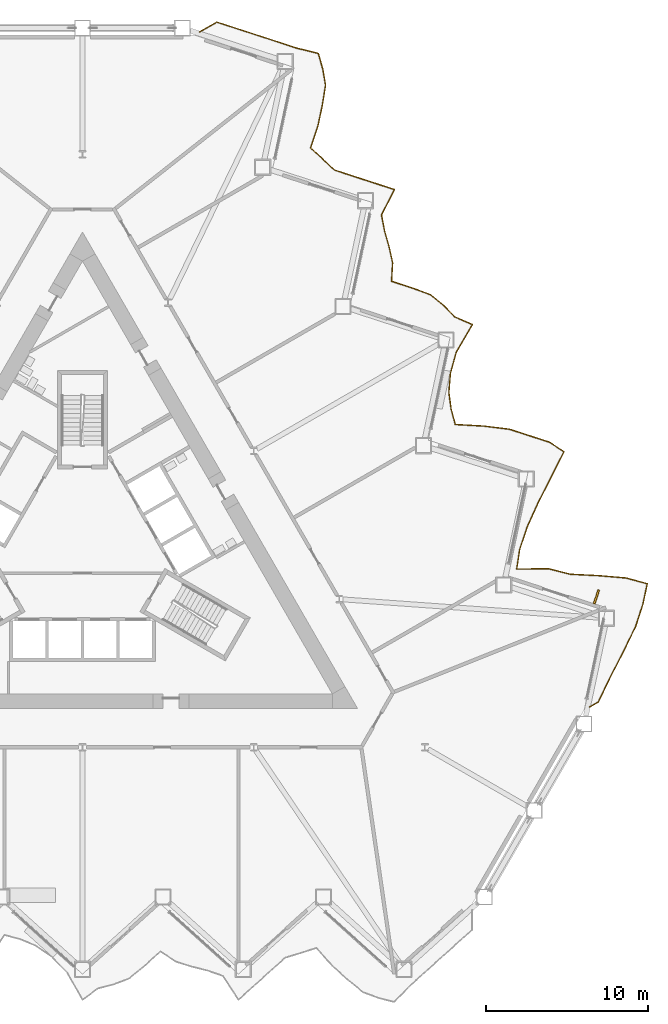
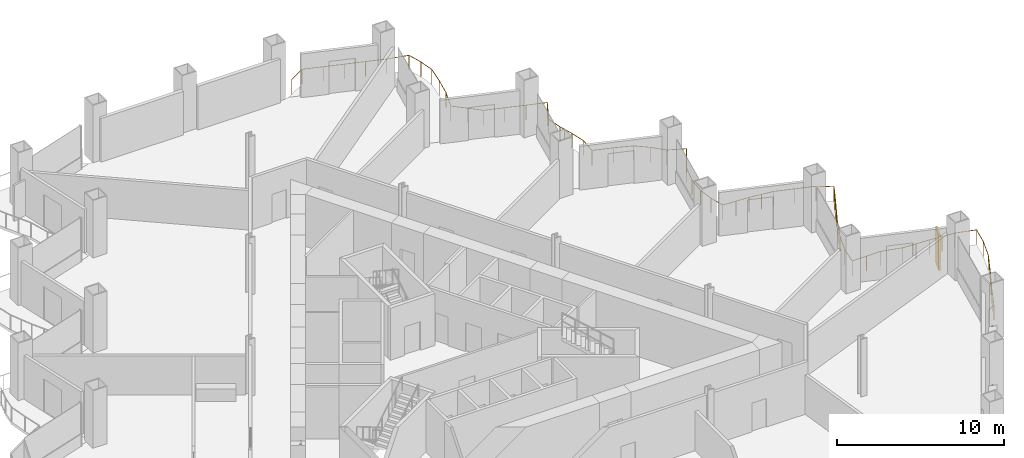
# One storey, part 18 of 20: 1 railing, 1 shading device.
"""IFC4 building model written with IfcOpenShell, lengths in metres."""

import ifcopenshell
import ifcopenshell.guid

model = None  # the IFC model being written
_history = None  # IfcOwnerHistory: only IFC2X3 demands one
_inside = {}  # id of a spatial element -> (the spatial element, [elements in it])
_under = {}  # id of a project, library or spatial element -> (it, [spatial elements below it])
_declared = {}  # id of a project -> (the project, [libraries it declares])
_typed = {}  # id of a type object -> (the type object, [elements of that type])
_made_of = {}  # id of a material, layer set ... -> (it, [elements and type objects made of it])


def new_model(schema):
    """Start an empty IFC model of exactly this schema.

    Asked for "IFC4X3", IfcOpenShell would pick the latest addendum, in which some entities
    have other attributes; the version numbers below select the first issue.
    IFC2X3 requires an IfcOwnerHistory on every rooted entity: one is made here for all.
    """
    global model, _history
    if schema == "IFC4X3":
        model = ifcopenshell.file(schema_version=(4, 3, 0, 0))
    else:
        model = ifcopenshell.file(schema=schema)
    _inside.clear()
    _under.clear()
    _declared.clear()
    _typed.clear()
    _made_of.clear()
    _history = None
    if model.schema == "IFC2X3":
        org = make("IfcOrganization", Name="unknown")
        user = make(
            "IfcPersonAndOrganization",
            ThePerson=make("IfcPerson", FamilyName="unknown"),
            TheOrganization=org,
        )
        app = make(
            "IfcApplication",
            ApplicationDeveloper=org,
            Version="unknown",
            ApplicationFullName="unknown",
            ApplicationIdentifier="unknown",
        )
        _history = make(
            "IfcOwnerHistory",
            OwningUser=user,
            OwningApplication=app,
            ChangeAction="ADDED",
            CreationDate=0,
        )
    return model


def make(cls, **values):
    """One entity of the class cls with the attributes given. An attribute that is None is left unset."""
    return model.create_entity(
        cls, **{name: value for name, value in values.items() if value is not None}
    )


def rooted(cls, **values):
    """An entity with a GlobalId (a new one), such as an element, a storey or a relation."""
    return make(cls, GlobalId=ifcopenshell.guid.new(), OwnerHistory=_history, **values)


def si_unit(unit_type, name, prefix=None):
    """IfcSIUnit, for example si_unit("LENGTHUNIT", "METRE", prefix="MILLI")."""
    return make("IfcSIUnit", UnitType=unit_type, Prefix=prefix, Name=name)


def assignment(units):
    """IfcUnitAssignment: the units of a project."""
    return None if units is None else make("IfcUnitAssignment", Units=units)


def point(xyz):
    """IfcCartesianPoint."""
    return None if xyz is None else make("IfcCartesianPoint", Coordinates=xyz)


def direction(xyz):
    """IfcDirection."""
    return None if xyz is None else make("IfcDirection", DirectionRatios=xyz)


def frame(location, z_axis=None, x_axis=None):
    """IfcAxis2Placement3D, a coordinate frame: its origin and axes. An axis left out is left unset."""
    return make(
        "IfcAxis2Placement3D",
        Location=point(location),
        Axis=direction(z_axis),
        RefDirection=direction(x_axis),
    )


def frame_2d(location, x_axis=None):
    """IfcAxis2Placement2D, a coordinate frame in the plane: its origin and x axis."""
    return make(
        "IfcAxis2Placement2D", Location=point(location), RefDirection=direction(x_axis)
    )


def origin():
    """The frame at (0, 0, 0) with its axes left unset."""
    return frame((0.0, 0.0, 0.0))


def origin_2d():
    """The frame at (0, 0) in the plane with its x axis left unset."""
    return frame_2d((0.0, 0.0))


def place(relative_to, where):
    """IfcLocalPlacement: puts the frame where relative to a parent placement (None: the world)."""
    return make(
        "IfcLocalPlacement", PlacementRelTo=relative_to, RelativePlacement=where
    )


def context(
    kind, dimensions, precision=None, world=None, true_north=None, identifier=None
):
    """IfcGeometricRepresentationContext, for example the 3D "Model" context."""
    return make(
        "IfcGeometricRepresentationContext",
        ContextIdentifier=identifier,
        ContextType=kind,
        CoordinateSpaceDimension=dimensions,
        Precision=precision,
        WorldCoordinateSystem=world,
        TrueNorth=true_north,
    )


def subcontext(parent, identifier, kind, view, scale=None):
    """IfcGeometricRepresentationSubContext, for example "Body" below "Model"."""
    return make(
        "IfcGeometricRepresentationSubContext",
        ContextIdentifier=identifier,
        ContextType=kind,
        ParentContext=parent,
        TargetScale=scale,
        TargetView=view,
    )


def project(units=None, contexts=None):
    """IfcProject with its units and contexts."""
    return rooted(
        "IfcProject",
        Name="project",
        RepresentationContexts=contexts,
        UnitsInContext=assignment(units),
    )


def spatial(cls, under=None, at=None, **own):
    """A site, building, storey or space (cls), placed at a placement, below another one or the project."""
    s = rooted(cls, ObjectPlacement=at, **own)
    if under is not None:
        _under.setdefault(under.id(), (under, []))[1].append(s)
    return s


def profile(cls, at=None, kind="AREA", **sizes):
    """A parametric profile (cls). Its sizes go by their IFC names, for example OverallWidth=200.0."""
    return make(cls, ProfileType=kind, Position=at, **sizes)


def rectangle(**sizes):
    """IfcRectangleProfileDef."""
    return profile("IfcRectangleProfileDef", **sizes)


def circle(**sizes):
    """IfcCircleProfileDef."""
    return profile("IfcCircleProfileDef", **sizes)


def extrude(swept, where, along, depth):
    """IfcExtrudedAreaSolid: the profile swept, set in the frame where, extruded along a direction by depth."""
    return make(
        "IfcExtrudedAreaSolid",
        SweptArea=swept,
        Position=where,
        ExtrudedDirection=direction(along),
        Depth=depth,
    )


def shape(context_of_items, identifier, shape_type, items):
    """IfcShapeRepresentation: the items that make up one representation, for example the "Body"."""
    return make(
        "IfcShapeRepresentation",
        ContextOfItems=context_of_items,
        RepresentationIdentifier=identifier,
        RepresentationType=shape_type,
        Items=items,
    )


def material(Name=None, Category=None):
    """IfcMaterial."""
    return make("IfcMaterial", Name=Name, Category=Category)


def layer(
    of_material, thickness, ventilated=None, Name=None, Category=None, Priority=None
):
    """IfcMaterialLayer: one layer of a wall or slab, of a material (None: an air gap)."""
    return make(
        "IfcMaterialLayer",
        Material=of_material,
        LayerThickness=thickness,
        IsVentilated=ventilated,
        Name=Name,
        Category=Category,
        Priority=Priority,
    )


def layer_set(layers, Name=None):
    """IfcMaterialLayerSet."""
    return make("IfcMaterialLayerSet", MaterialLayers=layers, LayerSetName=Name)


def made_of(thing, what):
    """Note that an element or type object is made of a material, layer set ...; save() writes the relation."""
    if what is not None:
        _made_of.setdefault(what.id(), (what, []))[1].append(thing)
    return thing


def type_object(cls, material=None, **own):
    """A type object (cls), such as IfcWallType, which elements share."""
    return made_of(rooted(cls, **own), material)


def element(
    cls,
    number,
    at=None,
    inside=None,
    cuts=None,
    type_object=None,
    material=None,
    context=None,
    identifier="Body",
    shape_type=None,
    held_by="IfcProductDefinitionShape",
    body=None,
    shapes=None,
    **own,
):
    """One element of the class cls, such as IfcWall. Its Tag is "e" and its number.

    at: its placement. inside: the storey or other place that contains it. cuts: it is an
    opening in that element (IfcRelVoidsElement). A single representation is given by context,
    identifier, shape_type and body (its items); several are given by shapes. held_by: the class
    of the entity that holds the representations. save() writes the other relations.
    """
    e = rooted(cls, Tag="e%d" % number, ObjectPlacement=at, **own)
    if body is not None:
        shapes = [shape(context, identifier, shape_type, body)]
    if shapes is not None:
        e.Representation = make(held_by, Representations=shapes)
    if inside is not None:
        _inside.setdefault(inside.id(), (inside, []))[1].append(e)
    if cuts is not None:
        rooted(
            "IfcRelVoidsElement", RelatingBuildingElement=cuts, RelatedOpeningElement=e
        )
    if type_object is not None:
        _typed.setdefault(type_object.id(), (type_object, []))[1].append(e)
    return made_of(e, material)


def aggregate(whole, parts):
    """IfcRelAggregates: a whole, such as a stair, and the parts it consists of."""
    return rooted("IfcRelAggregates", RelatingObject=whole, RelatedObjects=parts)


def save(model, path):
    """Write the relations noted so far, then the file.

    IfcRelAggregates (storeys below a building ...), IfcRelContainedInSpatialStructure (elements
    in a storey), IfcRelDefinesByType, IfcRelAssociatesMaterial and IfcRelDeclares: one each for
    every whole, place, type object, material and project.
    """
    for whole, parts in _under.values():
        aggregate(whole, parts)
    for where, things in _inside.values():
        rooted(
            "IfcRelContainedInSpatialStructure",
            RelatedElements=things,
            RelatingStructure=where,
        )
    for kind, things in _typed.values():
        rooted("IfcRelDefinesByType", RelatedObjects=things, RelatingType=kind)
    for what, things in _made_of.values():
        rooted("IfcRelAssociatesMaterial", RelatedObjects=things, RelatingMaterial=what)
    for by, libraries in _declared.values():
        rooted("IfcRelDeclares", RelatingContext=by, RelatedDefinitions=libraries)
    model.write(path)


model = new_model("IFC4")

# Units and contexts
model_context = context("Model", 3, precision=1e-05, world=origin(), true_north=direction((0.0, 1.0)))
body_context = subcontext(model_context, "Body", "Model", "MODEL_VIEW")
ifc_project = project(units=[si_unit("LENGTHUNIT", "METRE"), si_unit("AREAUNIT", "SQUARE_METRE"), si_unit("VOLUMEUNIT", "CUBIC_METRE"), si_unit("PLANEANGLEUNIT", "RADIAN"), si_unit("MASSUNIT", "GRAM", prefix="KILO")], contexts=[model_context])

# Site, building, storey
site_placement = place(None, origin())
site = spatial("IfcSite", under=ifc_project, at=site_placement, CompositionType="ELEMENT")
building_placement = place(site_placement, origin())
building = spatial("IfcBuilding", under=site, at=building_placement, Name="Cormorant Prow Tower", CompositionType="ELEMENT")
storey_placement = place(building_placement, frame((0.0, 0.0, 38.39990234375)))
storey = spatial("IfcBuildingStorey", under=building, at=storey_placement, Name="L07", CompositionType="ELEMENT", Elevation=38.39990234375)

# Railing
ifc_material_1 = material(Name="Aluminium 6063-T6", Category="aluminium")
railing_type = type_object("IfcRailingType", Name="Balcony guard 1100", PredefinedType="GUARDRAIL", material=ifc_material_1)
railing_placement = place(storey_placement, frame((31.3291015625, -9.726318359375, 0.0)))
element("IfcRailing", 1, at=railing_placement, inside=storey, type_object=railing_type, Name="Balcony guard ENE", PredefinedType="GUARDRAIL", context=body_context, shape_type="SweptSolid", body=[
    extrude(circle(Radius=0.02392578125, at=origin_2d()), frame((0.0, 0.0, 1.076171875), z_axis=(0.865942655036, 0.500143297656, 0.0), x_axis=(-0.500143297656, 0.865942655036, 0.0)), (0.0, 0.0, 1.0), 0.635986328125),
    extrude(circle(Radius=0.02392578125, at=origin_2d()), frame((0.55078125, 0.318115234375, 1.076171875), z_axis=(0.433209595953, 0.901293207549, 0.0), x_axis=(-0.901293207549, 0.433209595953, 0.0)), (0.0, 0.0, 1.0), 1.708251953125),
    extrude(circle(Radius=0.02392578125, at=origin_2d()), frame((1.290771484375, 1.857666015625, 1.076171875), z_axis=(0.457496743502, 0.889211296422, 0.0), x_axis=(-0.889211296422, 0.457496743502, 0.0)), (0.0, 0.0, 1.0), 1.7802734375),
    extrude(circle(Radius=0.02392578125, at=origin_2d()), frame((2.105224609375, 3.440673828125, 1.076171875), z_axis=(0.437074654476, 0.899425231142, 0.0), x_axis=(-0.899425231142, 0.437074654476, 0.0)), (0.0, 0.0, 1.0), 1.71923828125),
    extrude(circle(Radius=0.02392578125, at=origin_2d()), frame((2.856689453125, 4.987060546875, 1.076171875), z_axis=(0.310176960203, 0.950678838178, 0.0), x_axis=(-0.950678838178, 0.310176960203, 0.0)), (0.0, 0.0, 1.0), 1.44189453125),
    extrude(circle(Radius=0.02392578125, at=origin_2d()), frame((3.303955078125, 6.35791015625, 1.076171875), z_axis=(0.207908306761, 0.978148320031, 0.0), x_axis=(-0.978148320031, 0.207908306761, 0.0)), (0.0, 0.0, 1.0), 1.29638671875),
    extrude(circle(Radius=0.02392578125, at=origin_2d()), frame((3.573486328125, 7.6259765625, 1.076171875), z_axis=(-0.965501304987, 0.260398214412, 0.0), x_axis=(-0.260398214412, -0.965501304987, 0.0)), (0.0, 0.0, 1.0), 1.3603515625),
    extrude(circle(Radius=0.02392578125, at=origin_2d()), frame((2.260009765625, 7.980224609375, 1.076171875), z_axis=(-0.996333593966, 0.085553313992, 0.0), x_axis=(-0.085553313992, -0.996333593966, 0.0)), (0.0, 0.0, 1.0), 1.68359375),
    extrude(circle(Radius=0.02392578125, at=origin_2d()), frame((0.58251953125, 8.124267578125, 1.076171875), z_axis=(-0.998783316969, 0.049314153595, 0.0), x_axis=(-0.049314153595, -0.998783316969, 0.0)), (0.0, 0.0, 1.0), 1.77734375),
    extrude(circle(Radius=0.02392578125, at=origin_2d()), frame((-1.192626953125, 8.2119140625, 1.076171875), z_axis=(-0.968762138829, 0.247991770774, 0.0), x_axis=(-0.247991770774, -0.968762138829, 0.0)), (0.0, 0.0, 1.0), 1.378173828125),
    extrude(circle(Radius=0.02392578125, at=origin_2d()), frame((-2.52783203125, 8.5537109375, 1.076171875), z_axis=(-0.999927590389, -0.012033868023, 0.0), x_axis=(0.012033868023, -0.999927590389, 0.0)), (0.0, 0.0, 1.0), 1.968017578125),
    extrude(circle(Radius=0.02392578125, at=origin_2d()), frame((-4.49560546875, 8.530029296875, 1.076171875), z_axis=(0.151433219563, 0.98846749062, 0.0), x_axis=(-0.98846749062, 0.151433219563, 0.0)), (0.0, 0.0, 1.0), 1.23486328125),
    extrude(circle(Radius=0.02392578125, at=origin_2d()), frame((-4.30859375, 9.750732421875, 1.076171875), z_axis=(0.316832472122, 0.948481515165, 0.0), x_axis=(-0.948481515165, 0.316832472122, 0.0)), (0.0, 0.0, 1.0), 1.453369140625),
    extrude(circle(Radius=0.02392578125, at=origin_2d()), frame((-3.84814453125, 11.129150390625, 1.076171875), z_axis=(0.413591935436, 0.910462361079, 0.0), x_axis=(-0.910462361079, 0.413591935436, 0.0)), (0.0, 0.0, 1.0), 1.65625),
    extrude(circle(Radius=0.02392578125, at=origin_2d()), frame((-3.1630859375, 12.63720703125, 1.076171875), z_axis=(0.454425676399, 0.89078465671, 0.0), x_axis=(-0.89078465671, 0.454425676399, 0.0)), (0.0, 0.0, 1.0), 1.770263671875),
    extrude(circle(Radius=0.02392578125, at=origin_2d()), frame((-2.358642578125, 14.214111328125, 1.076171875), z_axis=(0.449160567011, 0.893451053524, 0.0), x_axis=(-0.893451053524, 0.449160567011, 0.0)), (0.0, 0.0, 1.0), 1.754638671875),
    extrude(circle(Radius=0.02392578125, at=origin_2d()), frame((-1.570556640625, 15.78173828125, 1.076171875), z_axis=(-0.838490048376, 0.544916909973, 0.0), x_axis=(-0.544916909973, -0.838490048376, 0.0)), (0.0, 0.0, 1.0), 1.0810546875),
    extrude(circle(Radius=0.02392578125, at=origin_2d()), frame((-2.47705078125, 16.370849609375, 1.076171875), z_axis=(-0.951065889289, 0.308988145778, 0.0), x_axis=(-0.308988145778, -0.951065889289, 0.0)), (0.0, 0.0, 1.0), 1.296630859375),
    extrude(circle(Radius=0.02392578125, at=origin_2d()), frame((-3.710205078125, 16.771484375, 1.076171875), z_axis=(-0.951065889289, 0.308988145778, 0.0), x_axis=(-0.308988145778, -0.951065889289, 0.0)), (0.0, 0.0, 1.0), 1.296630859375),
    extrude(circle(Radius=0.02392578125, at=origin_2d()), frame((-4.943359375, 17.172119140625, 1.076171875), z_axis=(-0.992549927024, 0.121838591441, 0.0), x_axis=(-0.121838591441, -0.992549927024, 0.0)), (0.0, 0.0, 1.0), 1.60107421875),
    extrude(circle(Radius=0.02392578125, at=origin_2d()), frame((-6.532470703125, 17.3671875, 1.076171875), z_axis=(-0.998435492424, 0.055915717544, 0.0), x_axis=(-0.055915717544, -0.998435492424, 0.0)), (0.0, 0.0, 1.0), 1.759521484375),
    extrude(circle(Radius=0.02392578125, at=origin_2d()), frame((-8.289306640625, 17.465576171875, 1.076171875), z_axis=(-0.262433124838, 0.964950182646, 0.0), x_axis=(-0.964950182646, -0.262433124838, 0.0)), (0.0, 0.0, 1.0), 0.996337890625),
    extrude(circle(Radius=0.02392578125, at=origin_2d()), frame((-8.55078125, 18.427001953125, 1.076171875), z_axis=(-0.128899126816, 0.991657710657, 0.0), x_axis=(-0.991657710657, -0.128899126816, 0.0)), (0.0, 0.0, 1.0), 1.043701171875),
    extrude(circle(Radius=0.02392578125, at=origin_2d()), frame((-8.685302734375, 19.4619140625, 1.076171875), z_axis=(0.081476069747, 0.996675298208, 0.0), x_axis=(-0.996675298208, 0.081476069747, 0.0)), (0.0, 0.0, 1.0), 1.171630859375),
    extrude(circle(Radius=0.02392578125, at=origin_2d()), frame((-8.58984375, 20.629638671875, 1.076171875), z_axis=(0.268247725454, 0.963349966413, 0.0), x_axis=(-0.963349966413, 0.268247725454, 0.0)), (0.0, 0.0, 1.0), 1.376220703125),
    extrude(circle(Radius=0.02392578125, at=origin_2d()), frame((-8.220703125, 21.955322265625, 1.076171875), z_axis=(0.506774332151, 0.862078752941, 0.0), x_axis=(-0.862078752941, 0.506774332151, 0.0)), (0.0, 0.0, 1.0), 1.95361328125),
    extrude(circle(Radius=0.02392578125, at=origin_2d()), frame((-7.230712890625, 23.639404296875, 1.076171875), z_axis=(-0.916143288756, 0.400850937966, 0.0), x_axis=(-0.400850937966, -0.916143288756, 0.0)), (0.0, 0.0, 1.0), 1.19677734375),
    extrude(circle(Radius=0.02392578125, at=origin_2d()), frame((-8.3271484375, 24.119140625, 1.076171875), z_axis=(-0.697460687647, 0.716623045392, 0.0), x_axis=(-0.716623045392, -0.697460687647, 0.0)), (0.0, 0.0, 1.0), 0.99365234375),
    extrude(circle(Radius=0.02392578125, at=origin_2d()), frame((-9.020263671875, 24.831298828125, 1.076171875), z_axis=(-0.775106115273, 0.631831077161, 0.0), x_axis=(-0.631831077161, -0.775106115273, 0.0)), (0.0, 0.0, 1.0), 1.031005859375),
    extrude(circle(Radius=0.02392578125, at=origin_2d()), frame((-9.8193359375, 25.482666015625, 1.076171875), z_axis=(-0.937866283628, 0.346996878998, 0.0), x_axis=(-0.346996878998, -0.937866283628, 0.0)), (0.0, 0.0, 1.0), 1.25244140625),
    extrude(circle(Radius=0.02392578125, at=origin_2d()), frame((-10.993896484375, 25.917236328125, 1.076171875), z_axis=(-0.95112121044, 0.308817815308, 0.0), x_axis=(-0.308817815308, -0.95112121044, 0.0)), (0.0, 0.0, 1.0), 1.296630859375),
    extrude(circle(Radius=0.02392578125, at=origin_2d()), frame((-12.22705078125, 26.317626953125, 1.076171875), z_axis=(0.056983430599, 0.998375124208, 0.0), x_axis=(-0.998375124208, 0.056983430599, 0.0)), (0.0, 0.0, 1.0), 1.152587890625),
    extrude(circle(Radius=0.02392578125, at=origin_2d()), frame((-12.161376953125, 27.46826171875, 1.076171875), z_axis=(-0.217877711911, 0.975976076885, 0.0), x_axis=(-0.975976076885, -0.217877711911, 0.0)), (0.0, 0.0, 1.0), 1.009521484375),
    extrude(circle(Radius=0.02392578125, at=origin_2d()), frame((-12.38134765625, 28.45361328125, 1.076171875), z_axis=(-0.276863799275, 0.960909171905, 0.0), x_axis=(-0.960909171905, -0.276863799275, 0.0)), (0.0, 0.0, 1.0), 0.992919921875),
    extrude(circle(Radius=0.02392578125, at=origin_2d()), frame((-12.65625, 29.40771484375, 1.076171875), z_axis=(-0.187870877698, 0.982193735122, 0.0), x_axis=(-0.982193735122, -0.187870877698, 0.0)), (0.0, 0.0, 1.0), 1.02001953125),
    extrude(circle(Radius=0.02392578125, at=origin_2d()), frame((-12.847900390625, 30.40966796875, 1.076171875), z_axis=(0.452902099451, 0.89156025501, 0.0), x_axis=(-0.89156025501, 0.452902099451, 0.0)), (0.0, 0.0, 1.0), 1.765380859375),
    extrude(circle(Radius=0.02392578125, at=origin_2d()), frame((-12.04833984375, 31.983642578125, 1.076171875), z_axis=(-0.951010544077, 0.30915844652, 0.0), x_axis=(-0.30915844652, -0.951010544077, 0.0)), (0.0, 0.0, 1.0), 1.296630859375),
    extrude(circle(Radius=0.02392578125, at=origin_2d()), frame((-13.281494140625, 32.384521484375, 1.076171875), z_axis=(-0.951103247398, 0.308873133809, 0.0), x_axis=(-0.308873133809, -0.951103247398, 0.0)), (0.0, 0.0, 1.0), 1.29638671875),
    extrude(circle(Radius=0.02392578125, at=origin_2d()), frame((-14.514404296875, 32.784912109375, 1.076171875), z_axis=(-0.951010544077, 0.30915844652, 0.0), x_axis=(-0.30915844652, -0.951010544077, 0.0)), (0.0, 0.0, 1.0), 1.296630859375),
    extrude(circle(Radius=0.02392578125, at=origin_2d()), frame((-15.74755859375, 33.185791015625, 1.076171875), z_axis=(-0.730119203744, 0.683319799452, 0.0), x_axis=(-0.683319799452, -0.730119203744, 0.0)), (0.0, 0.0, 1.0), 1.0068359375),
    extrude(circle(Radius=0.02392578125, at=origin_2d()), frame((-16.482666015625, 33.873779296875, 1.076171875), z_axis=(-0.739972834684, 0.672636754816, 0.0), x_axis=(-0.672636754816, -0.739972834684, 0.0)), (0.0, 0.0, 1.0), 1.011474609375),
    extrude(circle(Radius=0.02392578125, at=origin_2d()), frame((-17.231201171875, 34.55419921875, 1.076171875), z_axis=(0.31476220365, 0.949170561676, 0.0), x_axis=(-0.949170561676, 0.31476220365, 0.0)), (0.0, 0.0, 1.0), 1.44970703125),
    extrude(circle(Radius=0.02392578125, at=origin_2d()), frame((-16.77490234375, 35.93017578125, 1.076171875), z_axis=(0.20787001537, 0.978156458196, 0.0), x_axis=(-0.978156458196, 0.20787001537, 0.0)), (0.0, 0.0, 1.0), 1.296630859375),
    extrude(circle(Radius=0.02392578125, at=origin_2d()), frame((-16.50537109375, 37.198486328125, 1.076171875), z_axis=(0.15846589951, 0.987364450794, 0.0), x_axis=(-0.987364450794, 0.15846589951, 0.0)), (0.0, 0.0, 1.0), 1.24169921875),
    extrude(circle(Radius=0.02392578125, at=origin_2d()), frame((-16.30859375, 38.424560546875, 1.076171875), z_axis=(-0.166709127077, 0.986006119124, 0.0), x_axis=(-0.986006119124, -0.166709127077, 0.0)), (0.0, 0.0, 1.0), 1.028076171875),
    extrude(circle(Radius=0.02392578125, at=origin_2d()), frame((-16.47998046875, 39.438232421875, 1.076171875), z_axis=(-0.27351998335, 0.961866320602, 0.0), x_axis=(-0.961866320602, -0.27351998335, 0.0)), (0.0, 0.0, 1.0), 0.993408203125),
    extrude(circle(Radius=0.02392578125, at=origin_2d()), frame((-16.751708984375, 40.393798828125, 1.076171875), z_axis=(-0.970493235257, 0.241128348231, 0.0), x_axis=(-0.241128348231, -0.970493235257, 0.0)), (0.0, 0.0, 1.0), 1.38818359375),
    extrude(circle(Radius=0.02392578125, at=origin_2d()), frame((-18.098876953125, 40.728515625, 1.076171875), z_axis=(-0.951010544077, 0.30915844652, 0.0), x_axis=(-0.30915844652, -0.951010544077, 0.0)), (0.0, 0.0, 1.0), 1.296630859375),
    extrude(circle(Radius=0.02392578125, at=origin_2d()), frame((-19.33203125, 41.12939453125, 1.076171875), z_axis=(-0.951065889289, 0.308988145778, 0.0), x_axis=(-0.308988145778, -0.951065889289, 0.0)), (0.0, 0.0, 1.0), 1.296630859375),
    extrude(circle(Radius=0.02392578125, at=origin_2d()), frame((-20.565185546875, 41.530029296875, 1.076171875), z_axis=(-0.951047907473, 0.309043488349, 0.0), x_axis=(-0.309043488349, -0.951047907473, 0.0)), (0.0, 0.0, 1.0), 1.29638671875),
    extrude(circle(Radius=0.02392578125, at=origin_2d()), frame((-21.798095703125, 41.9306640625, 1.076171875), z_axis=(-0.951065889289, 0.308988145778, 0.0), x_axis=(-0.308988145778, -0.951065889289, 0.0)), (0.0, 0.0, 1.0), 1.296630859375),
    extrude(circle(Radius=0.02392578125, at=origin_2d()), frame((-23.03125, 42.331298828125, 1.076171875), z_axis=(-0.866005645448, -0.500034220881, 0.0), x_axis=(0.500034220881, -0.866005645448, 0.0)), (0.0, 0.0, 1.0), 1.22021484375),
    extrude(circle(Radius=0.02099609375, at=origin_2d()), origin(), (0.0, 0.0, 1.0), 1.052001953125),
    extrude(circle(Radius=0.02099609375, at=origin_2d()), frame((0.55078125, 0.318115234375, 0.0)), (0.0, 0.0, 1.0), 1.052001953125),
    extrude(circle(Radius=0.02099609375, at=origin_2d()), frame((0.9208984375, 1.087890625, 0.0)), (0.0, 0.0, 1.0), 1.052001953125),
    extrude(circle(Radius=0.02099609375, at=origin_2d()), frame((1.290771484375, 1.857666015625, 0.0)), (0.0, 0.0, 1.0), 1.052001953125),
    extrude(circle(Radius=0.02099609375, at=origin_2d()), frame((1.697998046875, 2.649169921875, 0.0)), (0.0, 0.0, 1.0), 1.052001953125),
    extrude(circle(Radius=0.02099609375, at=origin_2d()), frame((2.105224609375, 3.440673828125, 0.0)), (0.0, 0.0, 1.0), 1.052001953125),
    extrude(circle(Radius=0.02099609375, at=origin_2d()), frame((2.48095703125, 4.2138671875, 0.0)), (0.0, 0.0, 1.0), 1.052001953125),
    extrude(circle(Radius=0.02099609375, at=origin_2d()), frame((2.856689453125, 4.987060546875, 0.0)), (0.0, 0.0, 1.0), 1.052001953125),
    extrude(circle(Radius=0.02099609375, at=origin_2d()), frame((3.303955078125, 6.35791015625, 0.0)), (0.0, 0.0, 1.0), 1.052001953125),
    extrude(circle(Radius=0.02099609375, at=origin_2d()), frame((3.573486328125, 7.6259765625, 0.0)), (0.0, 0.0, 1.0), 1.052001953125),
    extrude(circle(Radius=0.02099609375, at=origin_2d()), frame((2.260009765625, 7.980224609375, 0.0)), (0.0, 0.0, 1.0), 1.052001953125),
    extrude(circle(Radius=0.02099609375, at=origin_2d()), frame((1.42138671875, 8.05224609375, 0.0)), (0.0, 0.0, 1.0), 1.052001953125),
    extrude(circle(Radius=0.02099609375, at=origin_2d()), frame((0.58251953125, 8.124267578125, 0.0)), (0.0, 0.0, 1.0), 1.052001953125),
    extrude(circle(Radius=0.02099609375, at=origin_2d()), frame((-0.30517578125, 8.16796875, 0.0)), (0.0, 0.0, 1.0), 1.052001953125),
    extrude(circle(Radius=0.02099609375, at=origin_2d()), frame((-1.192626953125, 8.2119140625, 0.0)), (0.0, 0.0, 1.0), 1.052001953125),
    extrude(circle(Radius=0.02099609375, at=origin_2d()), frame((-2.52783203125, 8.5537109375, 0.0)), (0.0, 0.0, 1.0), 1.052001953125),
    extrude(circle(Radius=0.02099609375, at=origin_2d()), frame((-3.51171875, 8.5419921875, 0.0)), (0.0, 0.0, 1.0), 1.052001953125),
    extrude(circle(Radius=0.02099609375, at=origin_2d()), frame((-4.49560546875, 8.530029296875, 0.0)), (0.0, 0.0, 1.0), 1.052001953125),
    extrude(circle(Radius=0.02099609375, at=origin_2d()), frame((-4.30859375, 9.750732421875, 0.0)), (0.0, 0.0, 1.0), 1.052001953125),
    extrude(circle(Radius=0.02099609375, at=origin_2d()), frame((-3.84814453125, 11.129150390625, 0.0)), (0.0, 0.0, 1.0), 1.052001953125),
    extrude(circle(Radius=0.02099609375, at=origin_2d()), frame((-3.505615234375, 11.88330078125, 0.0)), (0.0, 0.0, 1.0), 1.052001953125),
    extrude(circle(Radius=0.02099609375, at=origin_2d()), frame((-3.1630859375, 12.63720703125, 0.0)), (0.0, 0.0, 1.0), 1.052001953125),
    extrude(circle(Radius=0.02099609375, at=origin_2d()), frame((-2.7607421875, 13.42578125, 0.0)), (0.0, 0.0, 1.0), 1.052001953125),
    extrude(circle(Radius=0.02099609375, at=origin_2d()), frame((-2.358642578125, 14.214111328125, 0.0)), (0.0, 0.0, 1.0), 1.052001953125),
    extrude(circle(Radius=0.02099609375, at=origin_2d()), frame((-1.964599609375, 14.998046875, 0.0)), (0.0, 0.0, 1.0), 1.052001953125),
    extrude(circle(Radius=0.02099609375, at=origin_2d()), frame((-1.570556640625, 15.78173828125, 0.0)), (0.0, 0.0, 1.0), 1.052001953125),
    extrude(circle(Radius=0.02099609375, at=origin_2d()), frame((-2.47705078125, 16.370849609375, 0.0)), (0.0, 0.0, 1.0), 1.052001953125),
    extrude(circle(Radius=0.02099609375, at=origin_2d()), frame((-3.710205078125, 16.771484375, 0.0)), (0.0, 0.0, 1.0), 1.052001953125),
    extrude(circle(Radius=0.02099609375, at=origin_2d()), frame((-4.943359375, 17.172119140625, 0.0)), (0.0, 0.0, 1.0), 1.052001953125),
    extrude(circle(Radius=0.02099609375, at=origin_2d()), frame((-5.73779296875, 17.26953125, 0.0)), (0.0, 0.0, 1.0), 1.052001953125),
    extrude(circle(Radius=0.02099609375, at=origin_2d()), frame((-6.532470703125, 17.3671875, 0.0)), (0.0, 0.0, 1.0), 1.052001953125),
    extrude(circle(Radius=0.02099609375, at=origin_2d()), frame((-7.410888671875, 17.41650390625, 0.0)), (0.0, 0.0, 1.0), 1.052001953125),
    extrude(circle(Radius=0.02099609375, at=origin_2d()), frame((-8.289306640625, 17.465576171875, 0.0)), (0.0, 0.0, 1.0), 1.052001953125),
    extrude(circle(Radius=0.02099609375, at=origin_2d()), frame((-8.55078125, 18.427001953125, 0.0)), (0.0, 0.0, 1.0), 1.052001953125),
    extrude(circle(Radius=0.02099609375, at=origin_2d()), frame((-8.685302734375, 19.4619140625, 0.0)), (0.0, 0.0, 1.0), 1.052001953125),
    extrude(circle(Radius=0.02099609375, at=origin_2d()), frame((-8.58984375, 20.629638671875, 0.0)), (0.0, 0.0, 1.0), 1.052001953125),
    extrude(circle(Radius=0.02099609375, at=origin_2d()), frame((-8.220703125, 21.955322265625, 0.0)), (0.0, 0.0, 1.0), 1.052001953125),
    extrude(circle(Radius=0.02099609375, at=origin_2d()), frame((-7.7255859375, 22.79736328125, 0.0)), (0.0, 0.0, 1.0), 1.052001953125),
    extrude(circle(Radius=0.02099609375, at=origin_2d()), frame((-7.230712890625, 23.639404296875, 0.0)), (0.0, 0.0, 1.0), 1.052001953125),
    extrude(circle(Radius=0.02099609375, at=origin_2d()), frame((-8.3271484375, 24.119140625, 0.0)), (0.0, 0.0, 1.0), 1.052001953125),
    extrude(circle(Radius=0.02099609375, at=origin_2d()), frame((-9.020263671875, 24.831298828125, 0.0)), (0.0, 0.0, 1.0), 1.052001953125),
    extrude(circle(Radius=0.02099609375, at=origin_2d()), frame((-9.8193359375, 25.482666015625, 0.0)), (0.0, 0.0, 1.0), 1.052001953125),
    extrude(circle(Radius=0.02099609375, at=origin_2d()), frame((-10.993896484375, 25.917236328125, 0.0)), (0.0, 0.0, 1.0), 1.052001953125),
    extrude(circle(Radius=0.02099609375, at=origin_2d()), frame((-12.22705078125, 26.317626953125, 0.0)), (0.0, 0.0, 1.0), 1.052001953125),
    extrude(circle(Radius=0.02099609375, at=origin_2d()), frame((-12.161376953125, 27.46826171875, 0.0)), (0.0, 0.0, 1.0), 1.052001953125),
    extrude(circle(Radius=0.02099609375, at=origin_2d()), frame((-12.38134765625, 28.45361328125, 0.0)), (0.0, 0.0, 1.0), 1.052001953125),
    extrude(circle(Radius=0.02099609375, at=origin_2d()), frame((-12.65625, 29.40771484375, 0.0)), (0.0, 0.0, 1.0), 1.052001953125),
    extrude(circle(Radius=0.02099609375, at=origin_2d()), frame((-12.847900390625, 30.40966796875, 0.0)), (0.0, 0.0, 1.0), 1.052001953125),
    extrude(circle(Radius=0.02099609375, at=origin_2d()), frame((-12.4482421875, 31.19677734375, 0.0)), (0.0, 0.0, 1.0), 1.052001953125),
    extrude(circle(Radius=0.02099609375, at=origin_2d()), frame((-12.04833984375, 31.983642578125, 0.0)), (0.0, 0.0, 1.0), 1.052001953125),
    extrude(circle(Radius=0.02099609375, at=origin_2d()), frame((-13.281494140625, 32.384521484375, 0.0)), (0.0, 0.0, 1.0), 1.052001953125),
    extrude(circle(Radius=0.02099609375, at=origin_2d()), frame((-14.514404296875, 32.784912109375, 0.0)), (0.0, 0.0, 1.0), 1.052001953125),
    extrude(circle(Radius=0.02099609375, at=origin_2d()), frame((-15.74755859375, 33.185791015625, 0.0)), (0.0, 0.0, 1.0), 1.052001953125),
    extrude(circle(Radius=0.02099609375, at=origin_2d()), frame((-16.482666015625, 33.873779296875, 0.0)), (0.0, 0.0, 1.0), 1.052001953125),
    extrude(circle(Radius=0.02099609375, at=origin_2d()), frame((-17.231201171875, 34.55419921875, 0.0)), (0.0, 0.0, 1.0), 1.052001953125),
    extrude(circle(Radius=0.02099609375, at=origin_2d()), frame((-16.77490234375, 35.93017578125, 0.0)), (0.0, 0.0, 1.0), 1.052001953125),
    extrude(circle(Radius=0.02099609375, at=origin_2d()), frame((-16.50537109375, 37.198486328125, 0.0)), (0.0, 0.0, 1.0), 1.052001953125),
    extrude(circle(Radius=0.02099609375, at=origin_2d()), frame((-16.30859375, 38.424560546875, 0.0)), (0.0, 0.0, 1.0), 1.052001953125),
    extrude(circle(Radius=0.02099609375, at=origin_2d()), frame((-16.47998046875, 39.438232421875, 0.0)), (0.0, 0.0, 1.0), 1.052001953125),
    extrude(circle(Radius=0.02099609375, at=origin_2d()), frame((-16.751708984375, 40.393798828125, 0.0)), (0.0, 0.0, 1.0), 1.052001953125),
    extrude(circle(Radius=0.02099609375, at=origin_2d()), frame((-18.098876953125, 40.728515625, 0.0)), (0.0, 0.0, 1.0), 1.052001953125),
    extrude(circle(Radius=0.02099609375, at=origin_2d()), frame((-19.33203125, 41.12939453125, 0.0)), (0.0, 0.0, 1.0), 1.052001953125),
    extrude(circle(Radius=0.02099609375, at=origin_2d()), frame((-20.565185546875, 41.530029296875, 0.0)), (0.0, 0.0, 1.0), 1.052001953125),
    extrude(circle(Radius=0.02099609375, at=origin_2d()), frame((-21.798095703125, 41.9306640625, 0.0)), (0.0, 0.0, 1.0), 1.052001953125),
    extrude(circle(Radius=0.02099609375, at=origin_2d()), frame((-23.03125, 42.331298828125, 0.0)), (0.0, 0.0, 1.0), 1.052001953125),
    extrude(circle(Radius=0.02099609375, at=origin_2d()), frame((-24.087890625, 41.72119140625, 0.0)), (0.0, 0.0, 1.0), 1.052001953125),
])

# Shading device
ifc_material_2 = material(Name="Terracotta", Category="masonry")
ifc_layer = layer(ifc_material_2, 0.1201171875)
ifc_layer_set = layer_set([ifc_layer], Name="Terracotta")
shading_device_type = type_object("IfcShadingDeviceType", Name="Terracotta baguette fin 120x900x2600", PredefinedType="USERDEFINED", material=ifc_layer_set)
shading_device_placement = place(storey_placement, frame((31.76123046875, -2.91162109375, 0.0), z_axis=(0.0, 0.0, 1.0), x_axis=(-0.951056505967, 0.309017026162, 0.0)))
element("IfcShadingDevice", 2, at=shading_device_placement, inside=storey, type_object=shading_device_type, Name="Baguette fin ENE01", ObjectType="BAGUETTE", PredefinedType="USERDEFINED", context=body_context, shape_type="SweptSolid", body=[
    extrude(rectangle(XDim=0.1201171875, YDim=0.89990234375, at=origin_2d()), origin(), (0.0, 0.0, 1.0), 2.60009765625),
])

save(model, "model.ifc")
